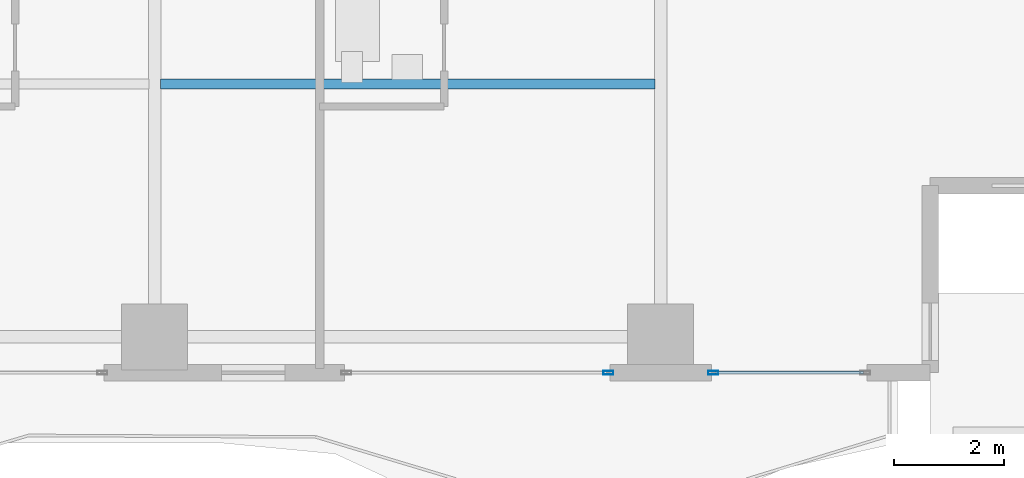
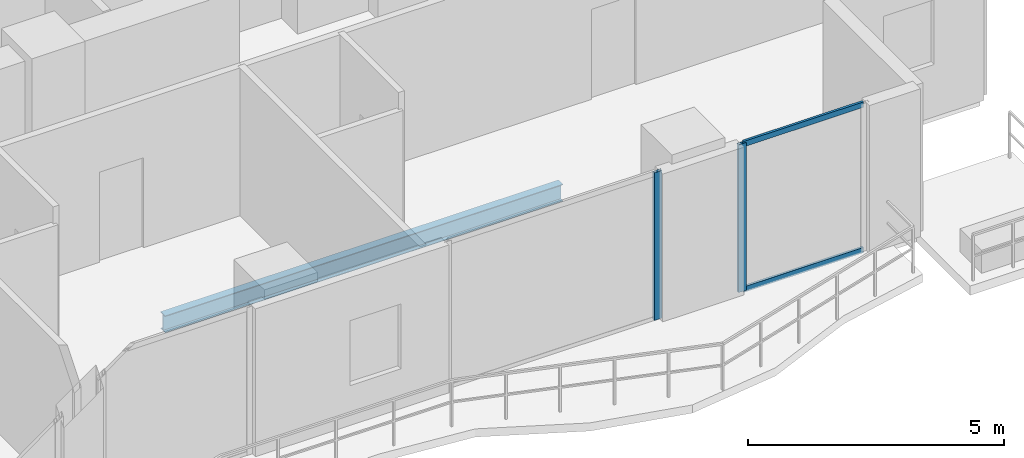
# One storey, part 11 of 33: 4 members, 1 beam, 2 elements without a shape of their own.
"""IFC4 building model written with IfcOpenShell, lengths in metres."""

from ifc_helpers import new_model, si_unit, direction, frame, origin, origin_2d, place, context, subcontext, project, spatial, hollow_rectangle, i_section, extrude, material, layer, layer_set, material_profile, profile_set, type_object, element, aggregate, save


model = new_model("IFC4")

# Units and contexts
model_context = context("Model", 3, precision=1e-05, world=origin(), true_north=direction((0.0, 1.0)))
body_context = subcontext(model_context, "Body", "Model", "MODEL_VIEW")
ifc_project = project(units=[si_unit("LENGTHUNIT", "METRE"), si_unit("AREAUNIT", "SQUARE_METRE"), si_unit("VOLUMEUNIT", "CUBIC_METRE"), si_unit("PLANEANGLEUNIT", "RADIAN"), si_unit("MASSUNIT", "GRAM", prefix="KILO")], contexts=[model_context])

# Site, building, storey
site_placement = place(None, origin())
site = spatial("IfcSite", under=ifc_project, at=site_placement, CompositionType="ELEMENT")
building_placement = place(site_placement, origin())
building = spatial("IfcBuilding", under=site, at=building_placement, Name="Zuhayl Quay Hotel", CompositionType="ELEMENT")
storey_placement = place(building_placement, frame((0.0, 0.0, 207.39990234375)))
storey = spatial("IfcBuildingStorey", under=building, at=storey_placement, Name="L52", CompositionType="ELEMENT", Elevation=207.39990234375)

# Beam
ifc_material_1 = material(Name="Steel ASTM A992 Grade 50", Category="steel")
ifc_material_profile_1 = material_profile(ifc_material_1, i_section(OverallWidth=0.177978515625, OverallDepth=0.406005859375, WebThickness=0.0078125, FlangeThickness=0.0126953125, at=origin_2d()), Name="W16X40")
ifc_profile_set_1 = profile_set([ifc_material_profile_1], Name="Steel ASTM A992 Grade 50")
beam_type = type_object("IfcBeamType", Name="BM_J2B_W16X40", PredefinedType="JOIST", material=ifc_profile_set_1)
beam_placement = place(storey_placement, frame((4.7060546875, -2.35009765625, -0.4228515625), z_axis=(1.0, 0.0, 0.0), x_axis=(0.0, 1.0, 0.0)))
element("IfcBeam", 1, at=beam_placement, inside=storey, type_object=beam_type, Name="L52 Floor Beam FJ_L52_7_3", PredefinedType="JOIST", context=body_context, shape_type="SweptSolid", body=[
    extrude(i_section(OverallWidth=0.177978515625, OverallDepth=0.406005859375, WebThickness=0.0078125, FlangeThickness=0.0126953125, at=origin_2d()), origin(), (0.0, 0.0, 1.0), 8.988037109375),
])

# Curtain wall, member
ifc_material_2 = material(Name="Anodised Aluminium 6063-T6", Category="aluminium")
ifc_layer = layer(ifc_material_2, 0.175048828125, Name="Anodised Aluminium 6063-T6", Category="aluminium")
ifc_layer_set = layer_set([ifc_layer], Name="Anodised Aluminium 6063-T6")
curtain_wall_type = type_object("IfcCurtainWallType", Name="CW_SYS_Z3", PredefinedType="USERDEFINED", material=ifc_layer_set)
curtain_wall_1_placement = place(storey_placement, origin())
curtain_wall_1 = element("IfcCurtainWall", 2, at=curtain_wall_1_placement, inside=storey, type_object=curtain_wall_type, Name="L52 Curtain Wall ENV_L52_S_CW1", ObjectType="UNITISED CURTAIN WALL", PredefinedType="USERDEFINED")
ifc_material_3 = material(Name="Black-anodised aluminium 6063-T6", Category="aluminium")
ifc_material_profile_2 = material_profile(ifc_material_3, hollow_rectangle(XDim=0.06494140625, YDim=0.179931640625, WallThickness=0.00341796875, at=origin_2d()), Name="ALU180X65")
ifc_profile_set_2 = profile_set([ifc_material_profile_2], Name="Black-anodised aluminium 6063-T6")
member_type_1 = type_object("IfcMemberType", Name="MB_CW_MUL_180", PredefinedType="MULLION", material=ifc_profile_set_2)
member_1_placement = place(storey_placement, frame((14.75244140625, -7.60009765625, 0.0), z_axis=(0.0, 0.0, 1.0), x_axis=(0.0, -1.0, 0.0)))
member_1 = element("IfcMember", 3, at=member_1_placement, type_object=member_type_1, Name="CW-Z3 mullion 2", PredefinedType="MULLION", context=body_context, shape_type="SweptSolid", body=[
    extrude(hollow_rectangle(XDim=0.06494140625, YDim=0.179931640625, WallThickness=0.00341796875, at=origin_2d()), origin(), (0.0, 0.0, 1.0), 3.530029296875),
])

curtain_wall_2_placement = place(storey_placement, origin())
curtain_wall_2 = element("IfcCurtainWall", 4, at=curtain_wall_2_placement, inside=storey, type_object=curtain_wall_type, Name="L52 Curtain Wall ENV_L52_S_CW2", ObjectType="UNITISED CURTAIN WALL", PredefinedType="USERDEFINED")
member_2_placement = place(storey_placement, frame((12.847412109375, -7.60009765625, 0.0), z_axis=(0.0, 0.0, 1.0), x_axis=(0.0, -1.0, 0.0)))
member_2 = element("IfcMember", 5, at=member_2_placement, type_object=member_type_1, Name="CW-Z3 mullion 1", PredefinedType="MULLION", context=body_context, shape_type="SweptSolid", body=[
    extrude(hollow_rectangle(XDim=0.06494140625, YDim=0.179931640625, WallThickness=0.00341796875, at=origin_2d()), origin(), (0.0, 0.0, 1.0), 3.530029296875),
])
aggregate(curtain_wall_2, [member_2])

# Member
ifc_material_profile_3 = material_profile(ifc_material_3, hollow_rectangle(XDim=0.054931640625, YDim=0.1298828125, WallThickness=0.0029296875, at=origin_2d()), Name="ALU130X55")
ifc_profile_set_3 = profile_set([ifc_material_profile_3], Name="Black-anodised aluminium 6063-T6")
member_type_2 = type_object("IfcMemberType", Name="MB_CW_TRN_130", PredefinedType="USERDEFINED", material=ifc_profile_set_3)
member_3_placement = place(storey_placement, frame((17.485107421875, -7.60009765625, 0.027587890625), z_axis=(-1.0, 0.0, 0.0), x_axis=(0.0, -1.0, 0.0)))
member_3 = element("IfcMember", 6, at=member_3_placement, type_object=member_type_2, Name="CW-Z3 transom 1.1", ObjectType="TRANSOM", PredefinedType="USERDEFINED", context=body_context, shape_type="SweptSolid", body=[
    extrude(hollow_rectangle(XDim=0.054931640625, YDim=0.1298828125, WallThickness=0.0029296875, at=origin_2d()), origin(), (0.0, 0.0, 1.0), 2.7001953125),
])

member_4_placement = place(storey_placement, frame((17.485107421875, -7.60009765625, 3.502685546875), z_axis=(-1.0, 0.0, 0.0), x_axis=(0.0, -1.0, 0.0)))
member_4 = element("IfcMember", 7, at=member_4_placement, type_object=member_type_2, Name="CW-Z3 transom 1.2", ObjectType="TRANSOM", PredefinedType="USERDEFINED", context=body_context, shape_type="SweptSolid", body=[
    extrude(hollow_rectangle(XDim=0.054931640625, YDim=0.1298828125, WallThickness=0.0029296875, at=origin_2d()), origin(), (0.0, 0.0, 1.0), 2.7001953125),
])

aggregate(curtain_wall_1, [member_1, member_3, member_4])

save(model, "model.ifc")
